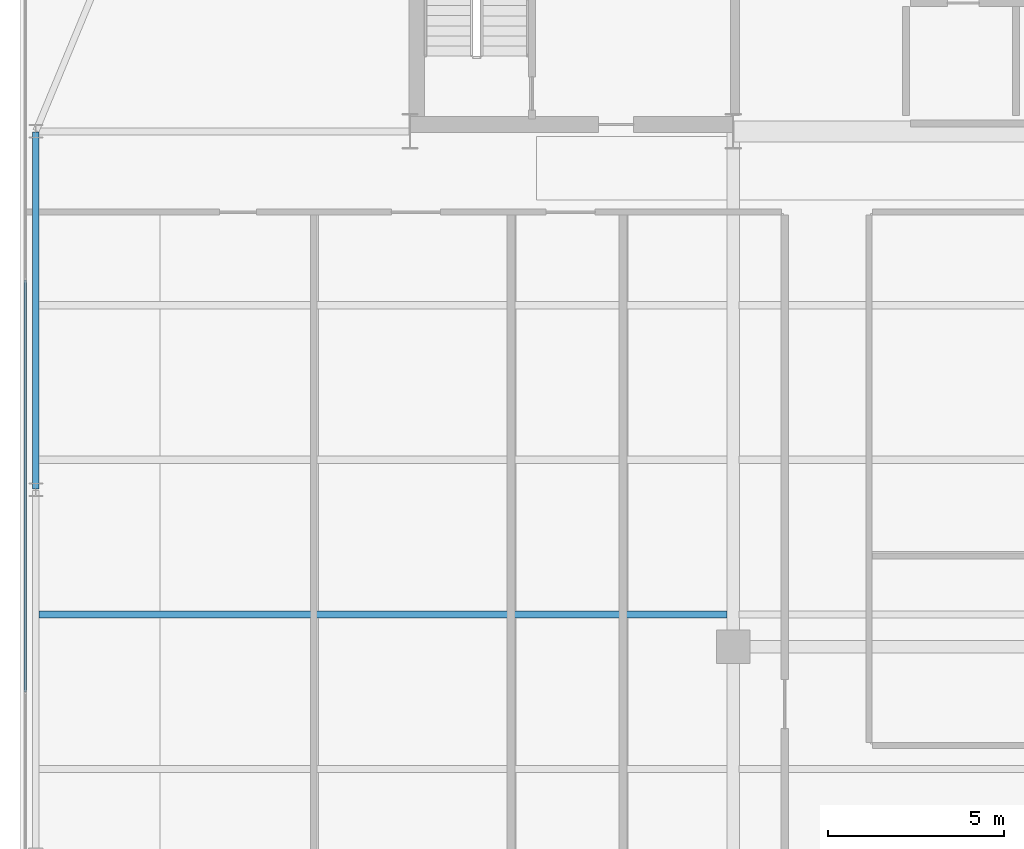
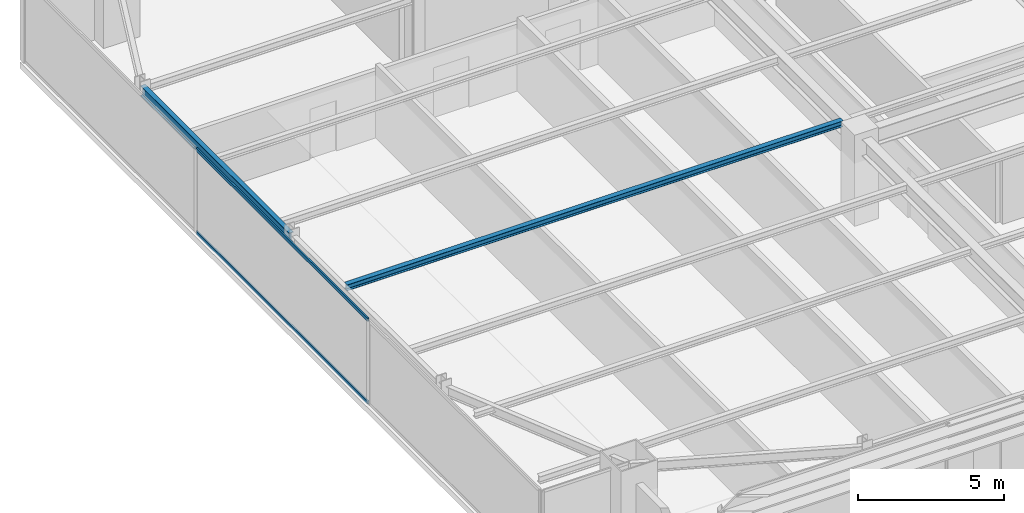
# One storey, part 9 of 31: 2 beams, 2 members, 1 element without a shape of its own.
"""IFC4 building model written with IfcOpenShell, lengths in metres."""

from ifc_helpers import new_model, si_unit, direction, frame, origin, origin_2d, place, context, subcontext, project, spatial, hollow_rectangle, i_section, extrude, source, transform, mapped, material, layer, layer_set, material_profile, profile_set, type_object, type_shapes, element, aggregate, save


model = new_model("IFC4")

# Units and contexts
model_context = context("Model", 3, precision=1e-05, world=origin(), true_north=direction((0.0, 1.0)))
body_context = subcontext(model_context, "Body", "Model", "MODEL_VIEW")
ifc_project = project(units=[si_unit("LENGTHUNIT", "METRE"), si_unit("AREAUNIT", "SQUARE_METRE"), si_unit("VOLUMEUNIT", "CUBIC_METRE"), si_unit("PLANEANGLEUNIT", "RADIAN"), si_unit("MASSUNIT", "GRAM", prefix="KILO")], contexts=[model_context])

# Site, building, storey
site_placement = place(None, origin())
site = spatial("IfcSite", under=ifc_project, at=site_placement, CompositionType="ELEMENT")
building_placement = place(site_placement, origin())
building = spatial("IfcBuilding", under=site, at=building_placement, Name="Varnel Quay Broadcast Tower", CompositionType="ELEMENT")
storey_placement = place(building_placement, frame((0.0, 0.0, 94.60009765625)))
storey = spatial("IfcBuildingStorey", under=building, at=storey_placement, Name="L22", CompositionType="ELEMENT", Elevation=94.60009765625)

# Beams
ifc_material_1 = material(Name="Structural Steel CSA G40.21 350W", Category="steel")
ifc_material_profile_1 = material_profile(ifc_material_1, i_section(OverallWidth=0.180908203125, OverallDepth=0.4169921875, WebThickness=0.010986328125, FlangeThickness=0.018310546875, FilletRadius=0.011962890625, at=origin_2d()), Name="W410X85")
ifc_profile_set_1 = profile_set([ifc_material_profile_1], Name="Structural Steel CSA G40.21 350W")
beam_type_1 = type_object("IfcBeamType", Name="Beam_W410X85", PredefinedType="SPANDREL", material=ifc_profile_set_1)
shared_shape_1 = source(origin(), body_context, "Body", "SweptSolid", [
    extrude(i_section(OverallWidth=0.180908203125, OverallDepth=0.4169921875, WebThickness=0.010986328125, FlangeThickness=0.018310546875, FilletRadius=0.011962890625, at=origin_2d()), origin(), (0.0, 0.0, 1.0), 10.16015625),
])
type_shapes(beam_type_1, [shared_shape_1])
beam_1_placement = place(storey_placement, frame((4.949951171875, 25.419921875, 3.3115234375), z_axis=(0.0, 1.0, 0.0), x_axis=(-1.0, 0.0, 0.0)))
element("IfcBeam", 1, at=beam_1_placement, inside=storey, type_object=beam_type_1, Name="L22 West Spandrel TC-W2-TC-W3", PredefinedType="SPANDREL", context=body_context, shape_type="MappedRepresentation", body=[
    mapped(shared_shape_1, transform((0.0, 0.0, 0.0), x_axis=(1.0, 0.0, 0.0), y_axis=(0.0, 1.0, 0.0), z_axis=(0.0, 0.0, 1.0), scale=1.0)),
])
ifc_material_profile_2 = material_profile(ifc_material_1, i_section(OverallWidth=0.201904296875, OverallDepth=0.2470703125, WebThickness=0.00732421875, FlangeThickness=0.010986328125, FilletRadius=0.010986328125, at=origin_2d()), Name="W250X49")
ifc_profile_set_2 = profile_set([ifc_material_profile_2], Name="Structural Steel CSA G40.21 350W")
beam_type_2 = type_object("IfcBeamType", Name="Beam_W250X49", PredefinedType="JOIST", material=ifc_profile_set_2)
shared_shape_2 = source(origin(), body_context, "Body", "SweptSolid", [
    extrude(i_section(OverallWidth=0.201904296875, OverallDepth=0.2470703125, WebThickness=0.00732421875, FlangeThickness=0.010986328125, FilletRadius=0.010986328125, at=origin_2d()), origin(), (0.0, 0.0, 1.0), 19.592041015625),
])
type_shapes(beam_type_2, [shared_shape_2])
beam_2_placement = place(storey_placement, frame((5.035400390625, 21.85009765625, 3.396484375), z_axis=(1.0, 0.0, 0.0), x_axis=(0.0, 1.0, 0.0)))
element("IfcBeam", 2, at=beam_2_placement, inside=storey, type_object=beam_type_2, Name="L22 West Floor Joist 4", PredefinedType="JOIST", context=body_context, shape_type="MappedRepresentation", body=[
    mapped(shared_shape_2, transform((0.0, 0.0, 0.0), x_axis=(1.0, 0.0, 0.0), y_axis=(0.0, 1.0, 0.0), z_axis=(0.0, 0.0, 1.0), scale=1.0)),
])

# Curtain wall, members
ifc_material_2 = material(Name="Anodised Bronze Aluminium 6063-T6", Category="aluminium")
ifc_layer = layer(ifc_material_2, 0.18994140625, Name="Anodised Bronze Aluminium 6063-T6")
ifc_layer_set = layer_set([ifc_layer], Name="Anodised Bronze Aluminium 6063-T6")
curtain_wall_type = type_object("IfcCurtainWallType", Name="CW_LowerTower", PredefinedType="NOTDEFINED", material=ifc_layer_set)
curtain_wall_placement = place(storey_placement, origin())
curtain_wall = element("IfcCurtainWall", 3, at=curtain_wall_placement, inside=storey, type_object=curtain_wall_type, Name="L22 West Unitised Curtain Wall", PredefinedType="NOTDEFINED")
ifc_material_profile_3 = material_profile(ifc_material_2, hollow_rectangle(XDim=0.06005859375, YDim=0.14501953125, WallThickness=0.00341796875, at=origin_2d()), Name="ALU60X145X3.5")
ifc_profile_set_3 = profile_set([ifc_material_profile_3], Name="Anodised Bronze Aluminium 6063-T6")
member_type = type_object("IfcMemberType", Name="Tran_CWS-02", PredefinedType="USERDEFINED", material=ifc_profile_set_3)
shared_shape_3 = source(origin(), body_context, "Body", "SweptSolid", [
    extrude(hollow_rectangle(XDim=0.06005859375, YDim=0.14501953125, WallThickness=0.00341796875, at=origin_2d()), origin(), (0.0, 0.0, 1.0), 11.72998046875),
])
type_shapes(member_type, [shared_shape_3])
member_1_placement = place(storey_placement, frame((4.64990234375, 19.635009765625, 0.02978515625), z_axis=(0.0, 1.0, 0.0), x_axis=(-1.0, 0.0, 0.0)))
member_1 = element("IfcMember", 4, at=member_1_placement, type_object=member_type, Name="CWS-02 transom 2.1", ObjectType="TRANSOM", PredefinedType="USERDEFINED", context=body_context, shape_type="MappedRepresentation", body=[
    mapped(shared_shape_3, transform((0.0, 0.0, 0.0), x_axis=(1.0, 0.0, 0.0), y_axis=(0.0, 1.0, 0.0), z_axis=(0.0, 0.0, 1.0), scale=1.0)),
])
member_2_placement = place(storey_placement, frame((4.64990234375, 19.635009765625, 3.489990234375), z_axis=(0.0, 1.0, 0.0), x_axis=(-1.0, 0.0, 0.0)))
member_2 = element("IfcMember", 5, at=member_2_placement, type_object=member_type, Name="CWS-02 transom 2.2", ObjectType="TRANSOM", PredefinedType="USERDEFINED", context=body_context, shape_type="MappedRepresentation", body=[
    mapped(shared_shape_3, transform((0.0, 0.0, 0.0), x_axis=(1.0, 0.0, 0.0), y_axis=(0.0, 1.0, 0.0), z_axis=(0.0, 0.0, 1.0), scale=1.0)),
])
aggregate(curtain_wall, [member_1, member_2])

save(model, "model.ifc")
